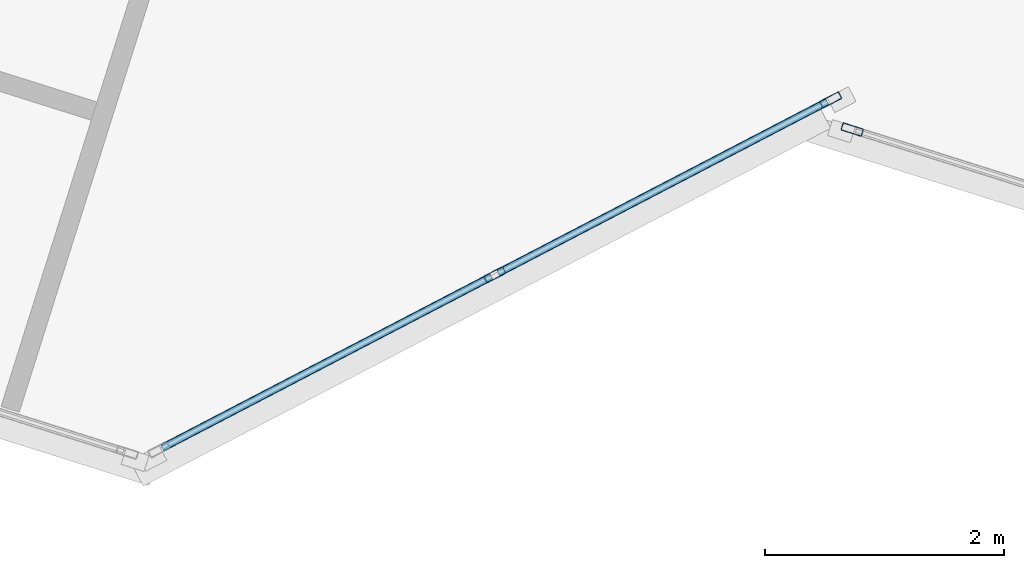
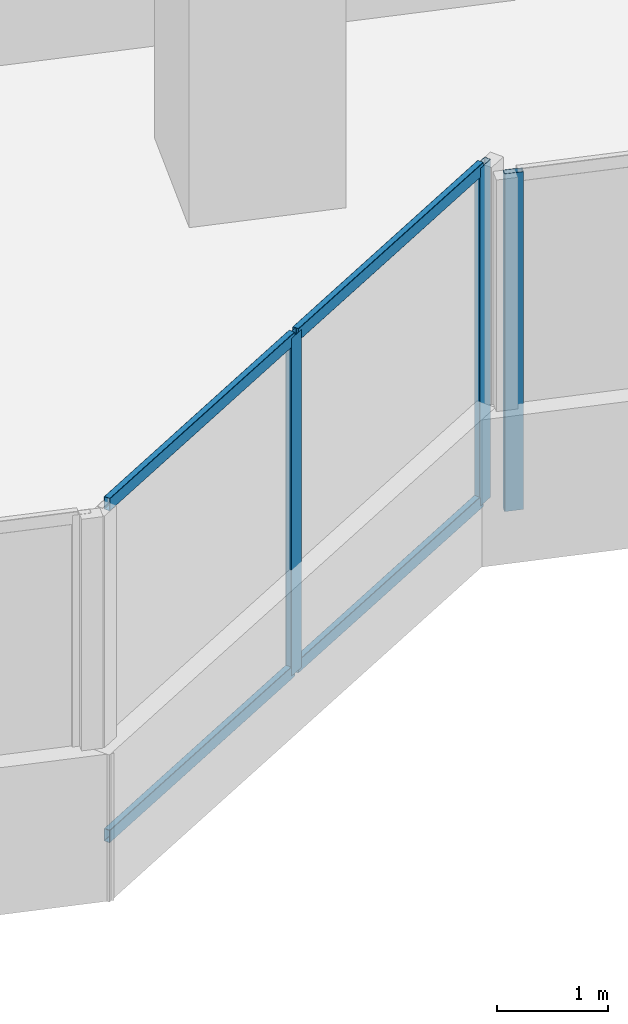
# One storey, part 5 of 28: 7 members, 2 elements without a shape of their own.
"""IFC4 building model written with IfcOpenShell, lengths in metres."""

from ifc_helpers import new_model, si_unit, direction, frame, origin, origin_2d, place, context, subcontext, project, spatial, hollow_rectangle, extrude, source, transform, mapped, material, material_profile, profile_set, type_object, element, aggregate, save


model = new_model("IFC4")

# Units and contexts
model_context = context("Model", 3, precision=1e-05, world=origin(), true_north=direction((0.0, 1.0)))
body_context = subcontext(model_context, "Body", "Model", "MODEL_VIEW")
ifc_project = project(units=[si_unit("LENGTHUNIT", "METRE"), si_unit("AREAUNIT", "SQUARE_METRE"), si_unit("VOLUMEUNIT", "CUBIC_METRE"), si_unit("PLANEANGLEUNIT", "RADIAN"), si_unit("MASSUNIT", "GRAM", prefix="KILO")], contexts=[model_context])

# Site, building, storey
site_placement = place(None, origin())
site = spatial("IfcSite", under=ifc_project, at=site_placement, CompositionType="ELEMENT")
building_placement = place(site_placement, origin())
building = spatial("IfcBuilding", under=site, at=building_placement, Name="Torre Montelarca", CompositionType="ELEMENT")
storey_placement = place(building_placement, frame((0.0, 0.0, 112.60009765625)))
storey = spatial("IfcBuildingStorey", under=building, at=storey_placement, Name="L25", CompositionType="ELEMENT", Elevation=112.60009765625)

# Curtain wall, members
ifc_material_1 = material(Name="Insulated low-E laminated glass", Category="glass")
curtain_wall_type = type_object("IfcCurtainWallType", Name="CW-SYS-Z1", PredefinedType="USERDEFINED", material=ifc_material_1)
curtain_wall_1_placement = place(storey_placement, origin())
curtain_wall_1 = element("IfcCurtainWall", 1, at=curtain_wall_1_placement, inside=storey, type_object=curtain_wall_type, Name="L25 Curtain Wall Run CW-T3-L25-E02-B1", ObjectType="UNITISED GLAZING", PredefinedType="USERDEFINED")
ifc_material_2 = material(Name="Anodised aluminium AA 6063-T6", Category="aluminium")
ifc_material_profile_1 = material_profile(ifc_material_2, hollow_rectangle(XDim=0.06494140625, YDim=0.139892578125, WallThickness=0.00390625, InnerFilletRadius=0.00390625, OuterFilletRadius=0.008056640625, at=origin_2d()), Name="ALU65X140X4", Category="aluminium")
ifc_profile_set_1 = profile_set([ifc_material_profile_1], Name="Anodised aluminium AA 6063-T6")
member_type_1 = type_object("IfcMemberType", Name="CWT-ALU140", PredefinedType="USERDEFINED", material=ifc_profile_set_1)
shared_shape_1 = source(origin(), body_context, "Body", "SweptSolid", [
    extrude(hollow_rectangle(XDim=0.06494140625, YDim=0.139892578125, WallThickness=0.00390625, InnerFilletRadius=0.00390625, OuterFilletRadius=0.008056640625, at=origin_2d()), origin(), (0.0, 0.0, 1.0), 3.1025390625),
])
member_1_placement = place(storey_placement, frame((26.5673828125, 11.586669921875, 0.032470703125), z_axis=(0.887005411838, 0.461759027383, 0.0), x_axis=(-0.461759027383, 0.887005411838, 0.0)))
member_1 = element("IfcMember", 2, at=member_1_placement, type_object=member_type_1, Name="CW transom 1.1", ObjectType="TRANSOM", PredefinedType="USERDEFINED", context=body_context, shape_type="MappedRepresentation", body=[
    mapped(shared_shape_1, transform((0.0, 0.0, 0.0), scale=1.0)),
])
member_2_placement = place(storey_placement, frame((26.5673828125, 11.586669921875, 3.6875), z_axis=(0.887005411838, 0.461759027383, 0.0), x_axis=(-0.461759027383, 0.887005411838, 0.0)))
member_2 = element("IfcMember", 3, at=member_2_placement, type_object=member_type_1, Name="CW transom 1.2", ObjectType="TRANSOM", PredefinedType="USERDEFINED", context=body_context, shape_type="MappedRepresentation", body=[
    mapped(shared_shape_1, transform((0.0, 0.0, 0.0), scale=1.0)),
])
member_3_placement = place(storey_placement, frame((29.376953125, 13.04931640625, 0.032470703125), z_axis=(0.887054414309, 0.461664885013, 0.0), x_axis=(-0.461664885013, 0.887054414309, 0.0)))
member_3 = element("IfcMember", 4, at=member_3_placement, type_object=member_type_1, Name="CW transom 2.1", ObjectType="TRANSOM", PredefinedType="USERDEFINED", context=body_context, shape_type="MappedRepresentation", body=[
    mapped(shared_shape_1, transform((0.0, 0.0, 0.0), scale=1.0)),
])
member_4_placement = place(storey_placement, frame((29.376953125, 13.04931640625, 3.6875), z_axis=(0.887054414309, 0.461664885013, 0.0), x_axis=(-0.461664885013, 0.887054414309, 0.0)))
member_4 = element("IfcMember", 5, at=member_4_placement, type_object=member_type_1, Name="CW transom 2.2", ObjectType="TRANSOM", PredefinedType="USERDEFINED", context=body_context, shape_type="MappedRepresentation", body=[
    mapped(shared_shape_1, transform((0.0, 0.0, 0.0), scale=1.0)),
])
ifc_material_profile_2 = material_profile(ifc_material_2, hollow_rectangle(XDim=0.06494140625, YDim=0.179931640625, WallThickness=0.00390625, InnerFilletRadius=0.00390625, OuterFilletRadius=0.008056640625, at=origin_2d()), Name="ALU65X180X4", Category="aluminium")
ifc_profile_set_2 = profile_set([ifc_material_profile_2], Name="Anodised aluminium AA 6063-T6")
member_type_2 = type_object("IfcMemberType", Name="CWM-ALU180", PredefinedType="MULLION", material=ifc_profile_set_2)
shared_shape_2 = source(origin(), body_context, "Body", "SweptSolid", [
    extrude(hollow_rectangle(XDim=0.06494140625, YDim=0.179931640625, WallThickness=0.00390625, InnerFilletRadius=0.00390625, OuterFilletRadius=0.008056640625, at=origin_2d()), origin(), (0.0, 0.0, 1.0), 3.719970703125),
])
member_5_placement = place(storey_placement, frame((29.34814453125, 13.0341796875, 0.0), z_axis=(0.0, 0.0, 1.0), x_axis=(-0.461741342198, 0.887014618203, 0.0)))
member_5 = element("IfcMember", 6, at=member_5_placement, type_object=member_type_2, Name="CW mullion 2", PredefinedType="MULLION", context=body_context, shape_type="MappedRepresentation", body=[
    mapped(shared_shape_2, transform((0.0, 0.0, 0.0), scale=1.0)),
])
member_6_placement = place(storey_placement, frame((32.157958984375, 14.496826171875, 0.0), z_axis=(0.0, 0.0, 1.0), x_axis=(-0.461741342198, 0.887014618203, 0.0)))
member_6 = element("IfcMember", 7, at=member_6_placement, type_object=member_type_2, Name="CW mullion 3", PredefinedType="MULLION", context=body_context, shape_type="MappedRepresentation", body=[
    mapped(shared_shape_2, transform((0.0, 0.0, 0.0), scale=1.0)),
])
aggregate(curtain_wall_1, [member_5, member_6, member_1, member_2, member_3, member_4])

# Curtain wall, member
curtain_wall_2_placement = place(storey_placement, origin())
curtain_wall_2 = element("IfcCurtainWall", 8, at=curtain_wall_2_placement, inside=storey, type_object=curtain_wall_type, Name="L25 Curtain Wall Run CW-T3-L25-E04-B1", ObjectType="UNITISED GLAZING", PredefinedType="USERDEFINED")
member_7_placement = place(storey_placement, frame((32.33837890625, 14.249267578125, 0.0), z_axis=(0.0, 0.0, 1.0), x_axis=(0.300700885116, 0.953718500235, 0.0)))
member_7 = element("IfcMember", 9, at=member_7_placement, type_object=member_type_2, Name="CW mullion 1", PredefinedType="MULLION", context=body_context, shape_type="MappedRepresentation", body=[
    mapped(shared_shape_2, transform((0.0, 0.0, 0.0), scale=1.0)),
])
aggregate(curtain_wall_2, [member_7])

save(model, "model.ifc")
